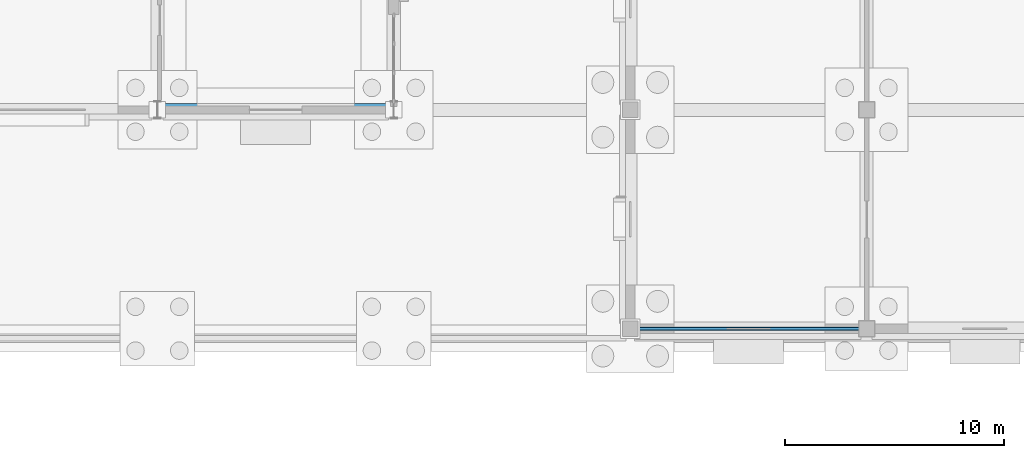
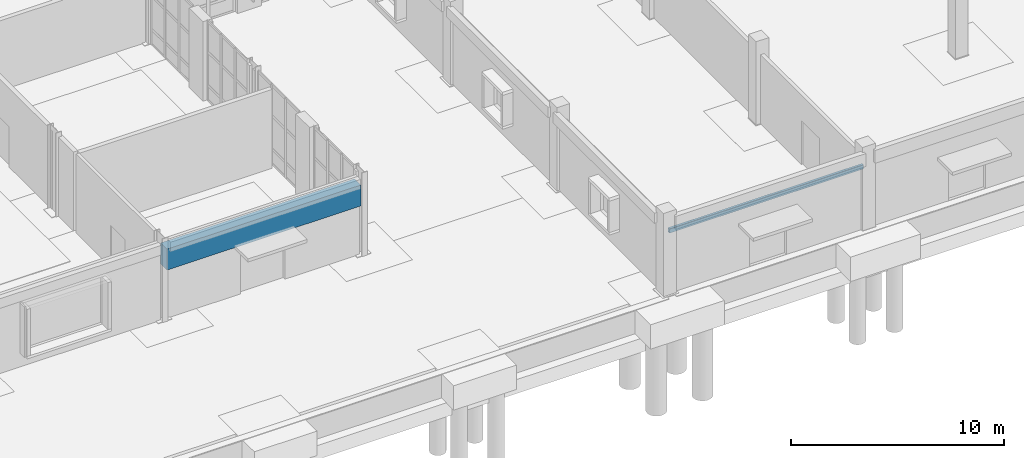
# One storey, part 29 of 73: 2 beams.
"""IFC4 building model written with IfcOpenShell, lengths in metres."""

import ifcopenshell
import ifcopenshell.guid

model = None  # the IFC model being written
_history = None  # IfcOwnerHistory: only IFC2X3 demands one
_inside = {}  # id of a spatial element -> (the spatial element, [elements in it])
_under = {}  # id of a project, library or spatial element -> (it, [spatial elements below it])
_declared = {}  # id of a project -> (the project, [libraries it declares])
_typed = {}  # id of a type object -> (the type object, [elements of that type])
_made_of = {}  # id of a material, layer set ... -> (it, [elements and type objects made of it])


def new_model(schema):
    """Start an empty IFC model of exactly this schema.

    Asked for "IFC4X3", IfcOpenShell would pick the latest addendum, in which some entities
    have other attributes; the version numbers below select the first issue.
    IFC2X3 requires an IfcOwnerHistory on every rooted entity: one is made here for all.
    """
    global model, _history
    if schema == "IFC4X3":
        model = ifcopenshell.file(schema_version=(4, 3, 0, 0))
    else:
        model = ifcopenshell.file(schema=schema)
    _inside.clear()
    _under.clear()
    _declared.clear()
    _typed.clear()
    _made_of.clear()
    _history = None
    if model.schema == "IFC2X3":
        org = make("IfcOrganization", Name="unknown")
        user = make(
            "IfcPersonAndOrganization",
            ThePerson=make("IfcPerson", FamilyName="unknown"),
            TheOrganization=org,
        )
        app = make(
            "IfcApplication",
            ApplicationDeveloper=org,
            Version="unknown",
            ApplicationFullName="unknown",
            ApplicationIdentifier="unknown",
        )
        _history = make(
            "IfcOwnerHistory",
            OwningUser=user,
            OwningApplication=app,
            ChangeAction="ADDED",
            CreationDate=0,
        )
    return model


def make(cls, **values):
    """One entity of the class cls with the attributes given. An attribute that is None is left unset."""
    return model.create_entity(
        cls, **{name: value for name, value in values.items() if value is not None}
    )


def rooted(cls, **values):
    """An entity with a GlobalId (a new one), such as an element, a storey or a relation."""
    return make(cls, GlobalId=ifcopenshell.guid.new(), OwnerHistory=_history, **values)


def si_unit(unit_type, name, prefix=None):
    """IfcSIUnit, for example si_unit("LENGTHUNIT", "METRE", prefix="MILLI")."""
    return make("IfcSIUnit", UnitType=unit_type, Prefix=prefix, Name=name)


def assignment(units):
    """IfcUnitAssignment: the units of a project."""
    return None if units is None else make("IfcUnitAssignment", Units=units)


def point(xyz):
    """IfcCartesianPoint."""
    return None if xyz is None else make("IfcCartesianPoint", Coordinates=xyz)


def direction(xyz):
    """IfcDirection."""
    return None if xyz is None else make("IfcDirection", DirectionRatios=xyz)


def frame(location, z_axis=None, x_axis=None):
    """IfcAxis2Placement3D, a coordinate frame: its origin and axes. An axis left out is left unset."""
    return make(
        "IfcAxis2Placement3D",
        Location=point(location),
        Axis=direction(z_axis),
        RefDirection=direction(x_axis),
    )


def frame_2d(location, x_axis=None):
    """IfcAxis2Placement2D, a coordinate frame in the plane: its origin and x axis."""
    return make(
        "IfcAxis2Placement2D", Location=point(location), RefDirection=direction(x_axis)
    )


def origin():
    """The frame at (0, 0, 0) with its axes left unset."""
    return frame((0.0, 0.0, 0.0))


def origin_2d():
    """The frame at (0, 0) in the plane with its x axis left unset."""
    return frame_2d((0.0, 0.0))


def place(relative_to, where):
    """IfcLocalPlacement: puts the frame where relative to a parent placement (None: the world)."""
    return make(
        "IfcLocalPlacement", PlacementRelTo=relative_to, RelativePlacement=where
    )


def context(
    kind, dimensions, precision=None, world=None, true_north=None, identifier=None
):
    """IfcGeometricRepresentationContext, for example the 3D "Model" context."""
    return make(
        "IfcGeometricRepresentationContext",
        ContextIdentifier=identifier,
        ContextType=kind,
        CoordinateSpaceDimension=dimensions,
        Precision=precision,
        WorldCoordinateSystem=world,
        TrueNorth=true_north,
    )


def subcontext(parent, identifier, kind, view, scale=None):
    """IfcGeometricRepresentationSubContext, for example "Body" below "Model"."""
    return make(
        "IfcGeometricRepresentationSubContext",
        ContextIdentifier=identifier,
        ContextType=kind,
        ParentContext=parent,
        TargetScale=scale,
        TargetView=view,
    )


def project(units=None, contexts=None):
    """IfcProject with its units and contexts."""
    return rooted(
        "IfcProject",
        Name="project",
        RepresentationContexts=contexts,
        UnitsInContext=assignment(units),
    )


def spatial(cls, under=None, at=None, **own):
    """A site, building, storey or space (cls), placed at a placement, below another one or the project."""
    s = rooted(cls, ObjectPlacement=at, **own)
    if under is not None:
        _under.setdefault(under.id(), (under, []))[1].append(s)
    return s


def profile(cls, at=None, kind="AREA", **sizes):
    """A parametric profile (cls). Its sizes go by their IFC names, for example OverallWidth=200.0."""
    return make(cls, ProfileType=kind, Position=at, **sizes)


def rectangle(**sizes):
    """IfcRectangleProfileDef."""
    return profile("IfcRectangleProfileDef", **sizes)


def hollow_rectangle(**sizes):
    """IfcRectangleHollowProfileDef."""
    return profile("IfcRectangleHollowProfileDef", **sizes)


def extrude(swept, where, along, depth):
    """IfcExtrudedAreaSolid: the profile swept, set in the frame where, extruded along a direction by depth."""
    return make(
        "IfcExtrudedAreaSolid",
        SweptArea=swept,
        Position=where,
        ExtrudedDirection=direction(along),
        Depth=depth,
    )


def shape(context_of_items, identifier, shape_type, items):
    """IfcShapeRepresentation: the items that make up one representation, for example the "Body"."""
    return make(
        "IfcShapeRepresentation",
        ContextOfItems=context_of_items,
        RepresentationIdentifier=identifier,
        RepresentationType=shape_type,
        Items=items,
    )


def material(Name=None, Category=None):
    """IfcMaterial."""
    return make("IfcMaterial", Name=Name, Category=Category)


def material_profile(
    of_material, cross_section, Name=None, Category=None, Priority=None
):
    """IfcMaterialProfile: a cross section and its material."""
    return make(
        "IfcMaterialProfile",
        Name=Name,
        Material=of_material,
        Profile=cross_section,
        Priority=Priority,
        Category=Category,
    )


def profile_set(profiles, Name=None, composite=None):
    """IfcMaterialProfileSet."""
    return make(
        "IfcMaterialProfileSet",
        Name=Name,
        MaterialProfiles=profiles,
        CompositeProfile=composite,
    )


def made_of(thing, what):
    """Note that an element or type object is made of a material, layer set ...; save() writes the relation."""
    if what is not None:
        _made_of.setdefault(what.id(), (what, []))[1].append(thing)
    return thing


def type_object(cls, material=None, **own):
    """A type object (cls), such as IfcWallType, which elements share."""
    return made_of(rooted(cls, **own), material)


def element(
    cls,
    number,
    at=None,
    inside=None,
    cuts=None,
    type_object=None,
    material=None,
    context=None,
    identifier="Body",
    shape_type=None,
    held_by="IfcProductDefinitionShape",
    body=None,
    shapes=None,
    **own,
):
    """One element of the class cls, such as IfcWall. Its Tag is "e" and its number.

    at: its placement. inside: the storey or other place that contains it. cuts: it is an
    opening in that element (IfcRelVoidsElement). A single representation is given by context,
    identifier, shape_type and body (its items); several are given by shapes. held_by: the class
    of the entity that holds the representations. save() writes the other relations.
    """
    e = rooted(cls, Tag="e%d" % number, ObjectPlacement=at, **own)
    if body is not None:
        shapes = [shape(context, identifier, shape_type, body)]
    if shapes is not None:
        e.Representation = make(held_by, Representations=shapes)
    if inside is not None:
        _inside.setdefault(inside.id(), (inside, []))[1].append(e)
    if cuts is not None:
        rooted(
            "IfcRelVoidsElement", RelatingBuildingElement=cuts, RelatedOpeningElement=e
        )
    if type_object is not None:
        _typed.setdefault(type_object.id(), (type_object, []))[1].append(e)
    return made_of(e, material)


def aggregate(whole, parts):
    """IfcRelAggregates: a whole, such as a stair, and the parts it consists of."""
    return rooted("IfcRelAggregates", RelatingObject=whole, RelatedObjects=parts)


def save(model, path):
    """Write the relations noted so far, then the file.

    IfcRelAggregates (storeys below a building ...), IfcRelContainedInSpatialStructure (elements
    in a storey), IfcRelDefinesByType, IfcRelAssociatesMaterial and IfcRelDeclares: one each for
    every whole, place, type object, material and project.
    """
    for whole, parts in _under.values():
        aggregate(whole, parts)
    for where, things in _inside.values():
        rooted(
            "IfcRelContainedInSpatialStructure",
            RelatedElements=things,
            RelatingStructure=where,
        )
    for kind, things in _typed.values():
        rooted("IfcRelDefinesByType", RelatedObjects=things, RelatingType=kind)
    for what, things in _made_of.values():
        rooted("IfcRelAssociatesMaterial", RelatedObjects=things, RelatingMaterial=what)
    for by, libraries in _declared.values():
        rooted("IfcRelDeclares", RelatingContext=by, RelatedDefinitions=libraries)
    model.write(path)


model = new_model("IFC4")

# Units and contexts
model_context = context("Model", 3, precision=1e-05, world=origin(), true_north=direction((0.0, 1.0)))
body_context = subcontext(model_context, "Body", "Model", "MODEL_VIEW")
ifc_project = project(units=[si_unit("LENGTHUNIT", "METRE"), si_unit("AREAUNIT", "SQUARE_METRE"), si_unit("VOLUMEUNIT", "CUBIC_METRE"), si_unit("PLANEANGLEUNIT", "RADIAN"), si_unit("MASSUNIT", "GRAM", prefix="KILO")], contexts=[model_context])

# Site, building, storey
site_placement = place(None, origin())
site = spatial("IfcSite", under=ifc_project, at=site_placement, CompositionType="ELEMENT")
building_placement = place(site_placement, origin())
building = spatial("IfcBuilding", under=site, at=building_placement, Name="Tasgan Crest Museum", CompositionType="ELEMENT")
storey_placement = place(building_placement, origin())
storey = spatial("IfcBuildingStorey", under=building, at=storey_placement, Name="L00", CompositionType="ELEMENT", Elevation=0.0)

# Beams
ifc_material_1 = material(Name="Precast concrete C40/50", Category="concrete")
ifc_material_profile_1 = material_profile(ifc_material_1, rectangle(XDim=0.60009765625, YDim=1.199951171875, at=origin_2d()), Name="RC 600x1200")
ifc_profile_set_1 = profile_set([ifc_material_profile_1], Name="Precast concrete C40/50")
beam_type_1 = type_object("IfcBeamType", Name="BM-LINTEL-2", PredefinedType="LINTEL", material=ifc_profile_set_1)
beam_1_placement = place(storey_placement, frame((86.544921875, 20.0, 3.449951171875), z_axis=(1.0, 0.0, 0.0), x_axis=(0.0, 1.0, 0.0)))
element("IfcBeam", 1, at=beam_1_placement, inside=storey, type_object=beam_type_1, Name="Portal lintel beam 02", PredefinedType="LINTEL", context=body_context, shape_type="SweptSolid", body=[
    extrude(rectangle(XDim=0.60009765625, YDim=1.199951171875, at=origin_2d()), origin(), (0.0, 0.0, 1.0), 10.510009765625),
])
ifc_material_2 = material(Name="Steel S355K2", Category="steel")
ifc_material_profile_2 = material_profile(ifc_material_2, hollow_rectangle(XDim=0.14990234375, YDim=0.25, WallThickness=0.010009765625, InnerFilletRadius=0.010009765625, OuterFilletRadius=0.02001953125, at=origin_2d()), Name="RHS 250x150x10")
ifc_profile_set_2 = profile_set([ifc_material_profile_2], Name="Steel S355K2")
beam_type_2 = type_object("IfcBeamType", Name="BM-LINTEL-3", PredefinedType="LINTEL", material=ifc_profile_set_2)
beam_2_placement = place(storey_placement, frame((108.14501953125, 10.0, 3.449951171875), z_axis=(1.0, 0.0, 0.0), x_axis=(0.0, 1.0, 0.0)))
element("IfcBeam", 2, at=beam_2_placement, inside=storey, type_object=beam_type_2, Name="Portal lintel beam 05", PredefinedType="LINTEL", context=body_context, shape_type="SweptSolid", body=[
    extrude(hollow_rectangle(XDim=0.14990234375, YDim=0.25, WallThickness=0.010009765625, InnerFilletRadius=0.010009765625, OuterFilletRadius=0.02001953125, at=origin_2d()), origin(), (0.0, 0.0, 1.0), 10.510009765625),
])

save(model, "model.ifc")
